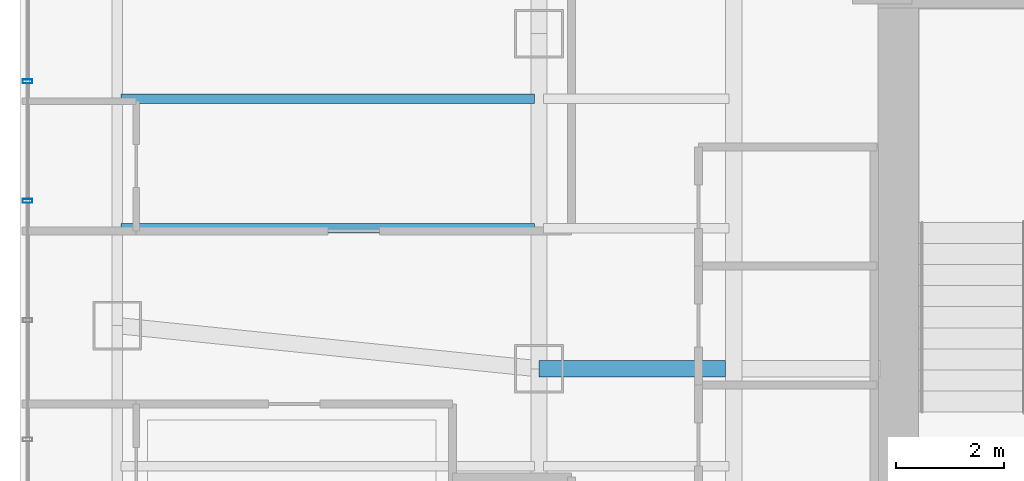
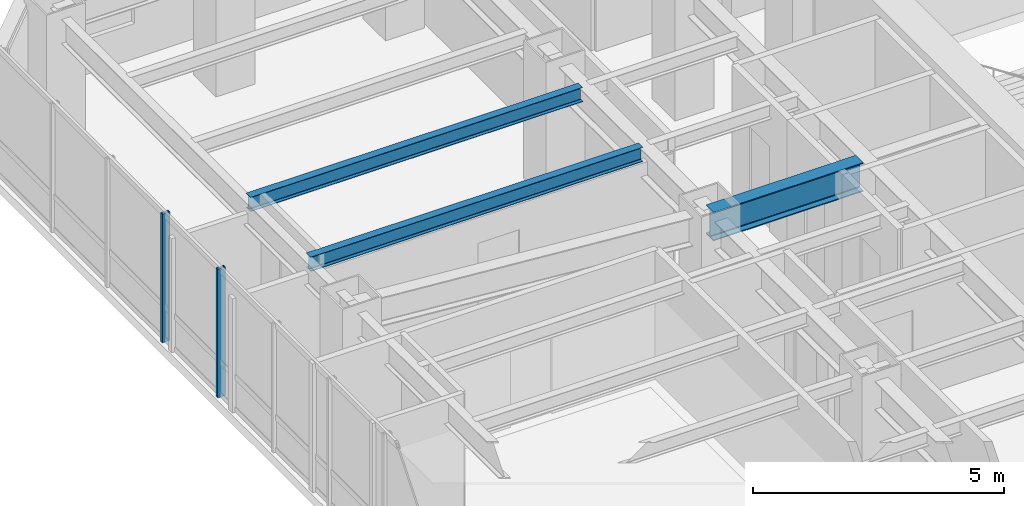
# One storey, part 21 of 36: 3 beams, 2 members, 1 element without a shape of its own.
"""IFC4 building model written with IfcOpenShell, lengths in metres."""

from ifc_helpers import new_model, si_unit, direction, frame, origin, origin_2d, place, context, subcontext, project, spatial, hollow_rectangle, i_section, extrude, material, layer, layer_set, material_profile, profile_set, type_object, element, aggregate, save


model = new_model("IFC4")

# Units and contexts
model_context = context("Model", 3, precision=1e-05, world=origin(), true_north=direction((0.0, 1.0)))
body_context = subcontext(model_context, "Body", "Model", "MODEL_VIEW")
ifc_project = project(units=[si_unit("LENGTHUNIT", "METRE"), si_unit("AREAUNIT", "SQUARE_METRE"), si_unit("VOLUMEUNIT", "CUBIC_METRE"), si_unit("PLANEANGLEUNIT", "RADIAN"), si_unit("MASSUNIT", "GRAM", prefix="KILO")], contexts=[model_context])

# Site, building, storey
site_placement = place(None, origin())
site = spatial("IfcSite", under=ifc_project, at=site_placement, CompositionType="ELEMENT")
building_placement = place(site_placement, origin())
building = spatial("IfcBuilding", under=site, at=building_placement, Name="Hatsunagi Terrace Concourse", CompositionType="ELEMENT")
storey_placement = place(building_placement, frame((0.0, 0.0, 84.64990234375)))
storey = spatial("IfcBuildingStorey", under=building, at=storey_placement, Name="L22", CompositionType="ELEMENT", Elevation=84.64990234375)

# Curtain wall, members
ifc_material_1 = material(Name="Anodised Aluminium Alloy 6063-T5", Category="aluminium")
ifc_layer = layer(ifc_material_1, 0.199951171875)
ifc_layer_set = layer_set([ifc_layer], Name="HotelFacade_CW02")
curtain_wall_type = type_object("IfcCurtainWallType", Name="HotelFacade_CW02", PredefinedType="NOTDEFINED", material=ifc_layer_set)
curtain_wall_placement = place(storey_placement, origin())
curtain_wall = element("IfcCurtainWall", 1, at=curtain_wall_placement, inside=storey, type_object=curtain_wall_type, Name="Unitised Curtain Wall CW-02 CW-L22-09", PredefinedType="NOTDEFINED")
ifc_material_2 = material(Name="Anodised Aluminium Alloy 6063-T5", Category="aluminium")
ifc_material_profile_1 = material_profile(ifc_material_2, hollow_rectangle(XDim=0.070068359375, YDim=0.179931640625, WallThickness=0.00390625, at=origin_2d()), Name="ALU-MUL-180x70x4")
ifc_profile_set_1 = profile_set([ifc_material_profile_1], Name="Anodised Aluminium Alloy 6063-T5")
member_type = type_object("IfcMemberType", Name="CurtainWallMullion_180x70", PredefinedType="MULLION", material=ifc_profile_set_1)
member_1_placement = place(storey_placement, frame((9.739990234375, 39.10791015625, 0.0), z_axis=(0.0, 0.0, 1.0), x_axis=(0.0, 1.0, 0.0)))
member_1 = element("IfcMember", 2, at=member_1_placement, type_object=member_type, Name="Curtain Wall Mullion MUL-02", PredefinedType="MULLION", context=body_context, shape_type="SweptSolid", body=[
    extrude(hollow_rectangle(XDim=0.070068359375, YDim=0.179931640625, WallThickness=0.00390625, at=origin_2d()), origin(), (0.0, 0.0, 1.0), 3.130126953125),
])
member_2_placement = place(storey_placement, frame((9.739990234375, 41.31689453125, 0.0), z_axis=(0.0, 0.0, 1.0), x_axis=(0.0, 1.0, 0.0)))
member_2 = element("IfcMember", 3, at=member_2_placement, type_object=member_type, Name="Curtain Wall Mullion MUL-02", PredefinedType="MULLION", context=body_context, shape_type="SweptSolid", body=[
    extrude(hollow_rectangle(XDim=0.070068359375, YDim=0.179931640625, WallThickness=0.00390625, at=origin_2d()), origin(), (0.0, 0.0, 1.0), 3.130126953125),
])
aggregate(curtain_wall, [member_1, member_2])

# Beams
ifc_material_3 = material(Name="Steel SN490B", Category="steel")
ifc_material_profile_2 = material_profile(ifc_material_3, i_section(OverallWidth=0.300048828125, OverallDepth=0.699951171875, WebThickness=0.012939453125, FlangeThickness=0.02392578125, FilletRadius=0.02197265625, at=origin_2d()), Name="H-700x300x13x24")
ifc_profile_set_2 = profile_set([ifc_material_profile_2], Name="Steel SN490B")
beam_type_1 = type_object("IfcBeamType", Name="HotelFloorGirder_H_700x300", PredefinedType="BEAM", material=ifc_profile_set_2)
beam_placement = place(storey_placement, frame((19.199951171875, 36.0, 2.780029296875), z_axis=(1.0, 0.0, 0.0), x_axis=(0.0, 1.0, 0.0)))
element("IfcBeam", 4, at=beam_placement, inside=storey, type_object=beam_type_1, Name="Beam G-04 BM-L22-EW-3", PredefinedType="BEAM", context=body_context, shape_type="SweptSolid", body=[
    extrude(i_section(OverallWidth=0.300048828125, OverallDepth=0.699951171875, WebThickness=0.012939453125, FlangeThickness=0.02392578125, FilletRadius=0.02197265625, at=origin_2d()), origin(), (0.0, 0.0, 1.0), 3.449951171875),
])
ifc_material_4 = material(Name="Steel SN490B", Category="steel")
ifc_material_profile_3 = material_profile(ifc_material_4, i_section(OverallWidth=0.175048828125, OverallDepth=0.35009765625, WebThickness=0.007080078125, FlangeThickness=0.010986328125, FilletRadius=0.012939453125, at=origin_2d()), Name="H-350x175x7x11")
ifc_profile_set_3 = profile_set([ifc_material_profile_3], Name="Steel SN490B")
beam_type_2 = type_object("IfcBeamType", Name="HotelJoist_H_350x175", PredefinedType="JOIST", material=ifc_profile_set_3)
for number, where, z_axis, x_axis, name in (
    (5, (11.465087890625, 38.60009765625, 2.955078125), (1.0, 0.0, 0.0), (0.0, 1.0, 0.0), "Beam J-02 J-L22-W-11-386"),
    (6, (11.465087890625, 41.0, 2.955078125), (1.0, 0.0, 0.0), (0.0, 1.0, 0.0), "Beam J-02 J-L22-W-11-410"),
):
    element("IfcBeam", number, at=place(storey_placement, frame(where, z_axis=z_axis, x_axis=x_axis)), inside=storey, type_object=beam_type_2, Name=name, PredefinedType="JOIST", context=body_context, shape_type="SweptSolid", body=[
        extrude(i_section(OverallWidth=0.175048828125, OverallDepth=0.35009765625, WebThickness=0.007080078125, FlangeThickness=0.010986328125, FilletRadius=0.012939453125, at=origin_2d()), origin(), (0.0, 0.0, 1.0), 7.64990234375),
    ])

save(model, "model.ifc")
